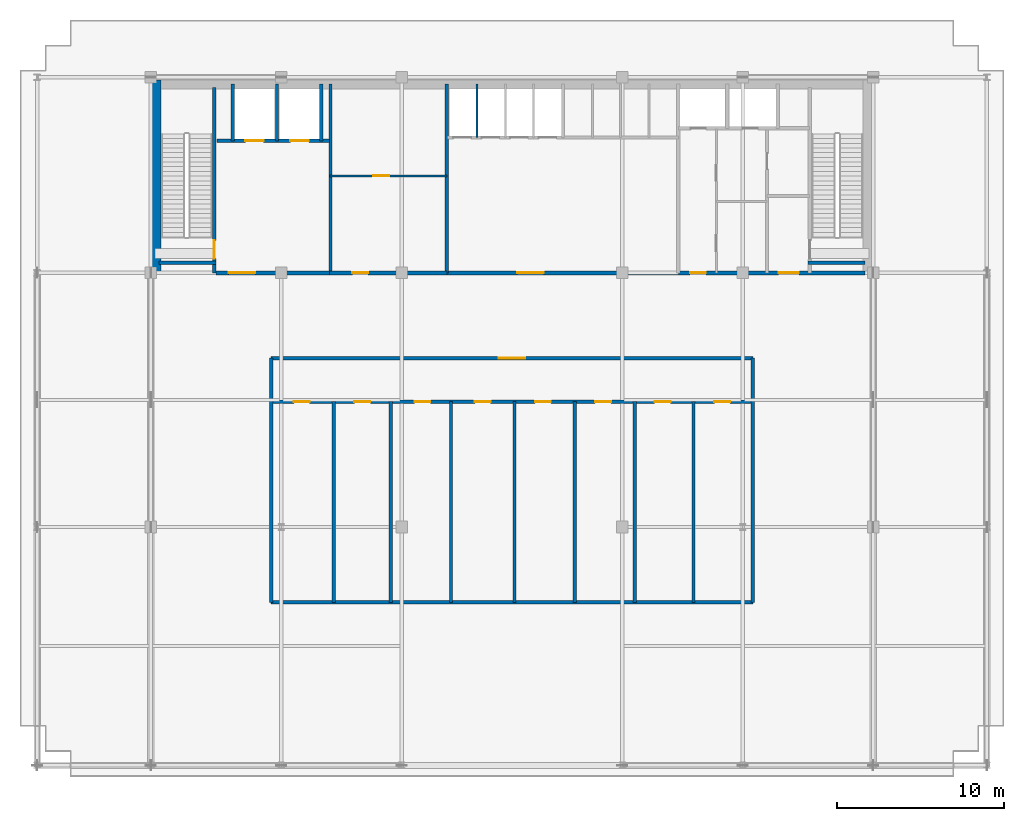
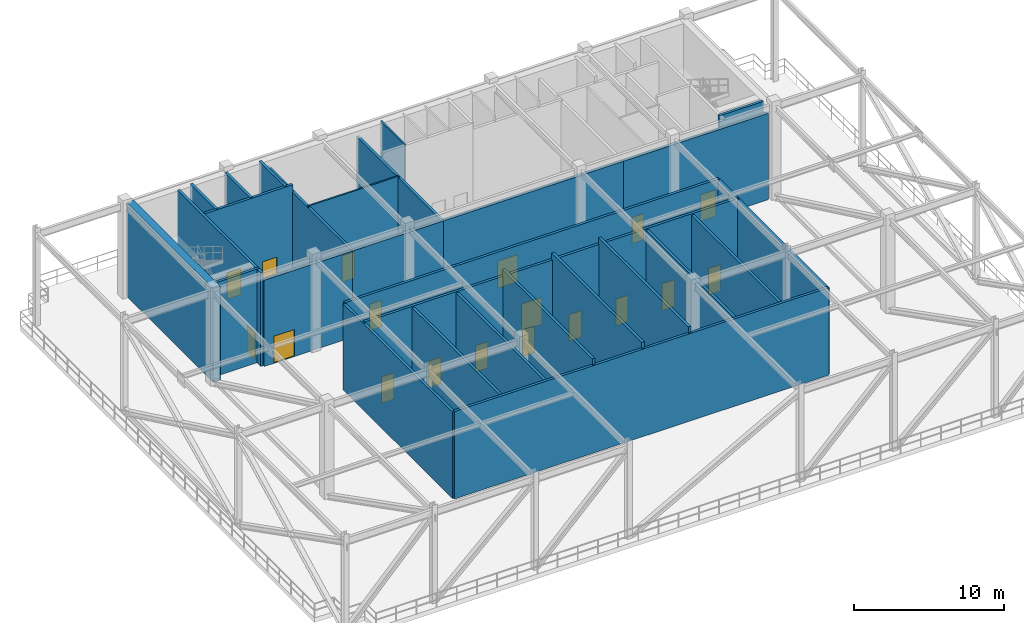
# One storey, part 9 of 14: 28 walls, 18 doors, 18 openings.
"""IFC4 building model written with IfcOpenShell, lengths in metres."""

from ifc_helpers import new_model, si_unit, direction, frame, frame_2d, origin, place, context, subcontext, project, spatial, rectangle, extrude, source, transform, mapped, material, layer, layer_set, type_object, element, fill, save


model = new_model("IFC4")

# Units and contexts
model_context = context("Model", 3, precision=1e-05, world=origin(), true_north=direction((0.0, 1.0)))
body_context = subcontext(model_context, "Body", "Model", "MODEL_VIEW")
ifc_project = project(units=[si_unit("LENGTHUNIT", "METRE"), si_unit("AREAUNIT", "SQUARE_METRE"), si_unit("VOLUMEUNIT", "CUBIC_METRE"), si_unit("PLANEANGLEUNIT", "RADIAN"), si_unit("MASSUNIT", "GRAM", prefix="KILO")], contexts=[model_context])

# Site, building, storey
site_placement = place(None, origin())
site = spatial("IfcSite", under=ifc_project, at=site_placement, CompositionType="ELEMENT")
building_placement = place(site_placement, origin())
building = spatial("IfcBuilding", under=site, at=building_placement, Name="Trelvane Seafront Commons", CompositionType="ELEMENT")
storey_placement = place(building_placement, frame((0.0, 0.0, 182.5)))
storey = spatial("IfcBuildingStorey", under=building, at=storey_placement, Name="L48", CompositionType="ELEMENT", Elevation=182.5)

# Wall, opening, door
ifc_material_1 = material(Name="Concrete C40/50", Category="concrete")
ifc_layer_1 = layer(ifc_material_1, 0.199951171875, Name="ARCH-WALL-FIRE200")
ifc_layer_set_1 = layer_set([ifc_layer_1], Name="Concrete C40/50")
wall_type_1 = type_object("IfcWallType", Name="ARCH-WALL-FIRE200", PredefinedType="PARTITIONING", material=ifc_layer_set_1)
wall_1_placement = place(storey_placement, frame((22.800048828125, 28.300048828125, 0.0), z_axis=(0.0, 0.0, 1.0), x_axis=(1.0, 0.0, 0.0)))
wall_1 = element("IfcWall", 1, at=wall_1_placement, inside=storey, type_object=wall_type_1, Name="W-L48-MEP-N-036", PredefinedType="PARTITIONING", context=body_context, shape_type="SweptSolid", body=[
    extrude(rectangle(XDim=28.800048828125, YDim=0.199951171875, at=frame_2d((14.39990234375, 0.0))), origin(), (0.0, 0.0, 1.0), 7.1201171875),
])
opening_1_placement = place(wall_1_placement, frame((13.60009765625, 0.0, 0.0)))
opening_1 = element("IfcOpeningElement", 2, at=opening_1_placement, cuts=wall_1, Name="Opening FD-L48-20", PredefinedType="OPENING", context=body_context, shape_type="SweptSolid", body=[
    extrude(rectangle(XDim=1.60009765625, YDim=2.199951171875, at=frame_2d((0.800048828125, 1.10009765625))), frame((0.0, 0.10986328125, 0.0), z_axis=(0.0, -1.0, 0.0), x_axis=(1.0, 0.0, 0.0)), (0.0, 0.0, 1.0), 0.219970703125),
])
ifc_material_2 = material(Name="Powder-coated aluminium frame", Category="aluminium")
door_type_1 = type_object("IfcDoorType", Name="ARCH-DR-FD60-1600", OperationType="DOUBLE_DOOR_SINGLE_SWING", PredefinedType="DOOR", material=ifc_material_2)
shared_shape_1 = source(origin(), body_context, "Body", "SweptSolid", [
    extrude(rectangle(XDim=1.60009765625, YDim=2.199951171875, at=frame_2d((0.800048828125, 1.10009765625))), frame((0.0, 0.02490234375, 0.0), z_axis=(0.0, -1.0, 0.0), x_axis=(1.0, 0.0, 0.0)), (0.0, 0.0, 1.0), 0.050048828125),
])
door_1_placement = place(opening_1_placement, origin())
door_1 = element("IfcDoor", 3, at=door_1_placement, inside=storey, type_object=door_type_1, Name="L48 Plant Corridor Entrance Door", OperationType="DOUBLE_DOOR_SINGLE_SWING", OverallHeight=2.199951171875, OverallWidth=1.60009765625, PredefinedType="DOOR", context=body_context, shape_type="MappedRepresentation", body=[
    mapped(shared_shape_1, transform((0.0, 0.0, 0.0), x_axis=(1.0, 0.0, 0.0), y_axis=(0.0, 1.0, 0.0), z_axis=(0.0, 0.0, 1.0), scale=1.0)),
])
fill(opening_1, door_1)

# Walls
wall_2_placement = place(storey_placement, frame((22.800048828125, 13.699951171875, 0.0), z_axis=(0.0, 0.0, 1.0), x_axis=(1.0, 0.0, 0.0)))
element("IfcWall", 4, at=wall_2_placement, inside=storey, type_object=wall_type_1, Name="W-L48-MEP-S-037", PredefinedType="PARTITIONING", context=body_context, shape_type="SweptSolid", body=[
    extrude(rectangle(XDim=28.800048828125, YDim=0.199951171875, at=frame_2d((14.39990234375, 0.0))), origin(), (0.0, 0.0, 1.0), 7.1201171875),
])
for number, where, z_axis, x_axis, name in (
    (5, (22.800048828125, 13.699951171875, 0.0), (0.0, 0.0, 1.0), (0.0, 1.0, 0.0), "W-L48-MEP-W-038"),
    (6, (51.60009765625, 13.699951171875, 0.0), (0.0, 0.0, 1.0), (0.0, 1.0, 0.0), "W-L48-MEP-E-039"),
):
    element("IfcWall", number, at=place(storey_placement, frame(where, z_axis=z_axis, x_axis=x_axis)), inside=storey, type_object=wall_type_1, Name=name, PredefinedType="PARTITIONING", context=body_context, shape_type="SweptSolid", body=[
        extrude(rectangle(XDim=14.60009765625, YDim=0.199951171875, at=frame_2d((7.300048828125, 0.0))), origin(), (0.0, 0.0, 1.0), 7.02001953125),
    ])

# Wall, openings, doors
wall_3_placement = place(storey_placement, frame((22.800048828125, 25.699951171875, 0.0), z_axis=(0.0, 0.0, 1.0), x_axis=(1.0, 0.0, 0.0)))
wall_3 = element("IfcWall", 7, at=wall_3_placement, inside=storey, type_object=wall_type_1, Name="W-L48-MEP-CORR-S-040", PredefinedType="PARTITIONING", context=body_context, shape_type="SweptSolid", body=[
    extrude(rectangle(XDim=28.800048828125, YDim=0.199951171875, at=frame_2d((14.39990234375, 0.0))), origin(), (0.0, 0.0, 1.0), 7.1201171875),
])
opening_2_placement = place(wall_3_placement, frame((1.35009765625, 0.0, 0.0)))
opening_2 = element("IfcOpeningElement", 8, at=opening_2_placement, cuts=wall_3, Name="Opening FD-L48-21", PredefinedType="OPENING", context=body_context, shape_type="SweptSolid", body=[
    extrude(rectangle(XDim=0.949951171875, YDim=2.14990234375, at=frame_2d((0.47509765625, 1.074951171875))), frame((0.0, 0.10986328125, 0.0), z_axis=(0.0, -1.0, 0.0), x_axis=(1.0, 0.0, 0.0)), (0.0, 0.0, 1.0), 0.219970703125),
])
opening_3_placement = place(wall_3_placement, frame((4.97509765625, 0.0, 0.0)))
opening_3 = element("IfcOpeningElement", 9, at=opening_3_placement, cuts=wall_3, Name="Opening FD-L48-22", PredefinedType="OPENING", context=body_context, shape_type="SweptSolid", body=[
    extrude(rectangle(XDim=0.949951171875, YDim=2.14990234375, at=frame_2d((0.47509765625, 1.074951171875))), frame((0.0, 0.10986328125, 0.0), z_axis=(0.0, -1.0, 0.0), x_axis=(1.0, 0.0, 0.0)), (0.0, 0.0, 1.0), 0.219970703125),
])
opening_4_placement = place(wall_3_placement, frame((8.572021484375, 0.0, 0.0)))
opening_4 = element("IfcOpeningElement", 10, at=opening_4_placement, cuts=wall_3, Name="Opening FD-L48-23", PredefinedType="OPENING", context=body_context, shape_type="SweptSolid", body=[
    extrude(rectangle(XDim=0.949951171875, YDim=2.14990234375, at=frame_2d((0.47509765625, 1.074951171875))), frame((0.0, 0.10986328125, 0.0), z_axis=(0.0, -1.0, 0.0), x_axis=(1.0, 0.0, 0.0)), (0.0, 0.0, 1.0), 0.219970703125),
])
opening_5_placement = place(wall_3_placement, frame((12.175048828125, 0.0, 0.0)))
opening_5 = element("IfcOpeningElement", 11, at=opening_5_placement, cuts=wall_3, Name="Opening FD-L48-24", PredefinedType="OPENING", context=body_context, shape_type="SweptSolid", body=[
    extrude(rectangle(XDim=0.949951171875, YDim=2.14990234375, at=frame_2d((0.47509765625, 1.074951171875))), frame((0.0, 0.10986328125, 0.0), z_axis=(0.0, -1.0, 0.0), x_axis=(1.0, 0.0, 0.0)), (0.0, 0.0, 1.0), 0.219970703125),
])
opening_6_placement = place(wall_3_placement, frame((15.778076171875, 0.0, 0.0)))
opening_6 = element("IfcOpeningElement", 12, at=opening_6_placement, cuts=wall_3, Name="Opening FD-L48-25", PredefinedType="OPENING", context=body_context, shape_type="SweptSolid", body=[
    extrude(rectangle(XDim=0.949951171875, YDim=2.14990234375, at=frame_2d((0.47509765625, 1.074951171875))), frame((0.0, 0.10986328125, 0.0), z_axis=(0.0, -1.0, 0.0), x_axis=(1.0, 0.0, 0.0)), (0.0, 0.0, 1.0), 0.219970703125),
])
opening_7_placement = place(wall_3_placement, frame((19.3779296875, 0.0, 0.0)))
opening_7 = element("IfcOpeningElement", 13, at=opening_7_placement, cuts=wall_3, Name="Opening FD-L48-26", PredefinedType="OPENING", context=body_context, shape_type="SweptSolid", body=[
    extrude(rectangle(XDim=0.949951171875, YDim=2.14990234375, at=frame_2d((0.47509765625, 1.074951171875))), frame((0.0, 0.10986328125, 0.0), z_axis=(0.0, -1.0, 0.0), x_axis=(1.0, 0.0, 0.0)), (0.0, 0.0, 1.0), 0.219970703125),
])
opening_8_placement = place(wall_3_placement, frame((22.93310546875, 0.0, 0.0)))
opening_8 = element("IfcOpeningElement", 14, at=opening_8_placement, cuts=wall_3, Name="Opening FD-L48-27", PredefinedType="OPENING", context=body_context, shape_type="SweptSolid", body=[
    extrude(rectangle(XDim=0.949951171875, YDim=2.14990234375, at=frame_2d((0.47509765625, 1.074951171875))), frame((0.0, 0.10986328125, 0.0), z_axis=(0.0, -1.0, 0.0), x_axis=(1.0, 0.0, 0.0)), (0.0, 0.0, 1.0), 0.219970703125),
])
opening_9_placement = place(wall_3_placement, frame((26.5, 0.0, 0.0)))
opening_9 = element("IfcOpeningElement", 15, at=opening_9_placement, cuts=wall_3, Name="Opening FD-L48-28", PredefinedType="OPENING", context=body_context, shape_type="SweptSolid", body=[
    extrude(rectangle(XDim=0.949951171875, YDim=2.14990234375, at=frame_2d((0.47509765625, 1.074951171875))), frame((0.0, 0.10986328125, 0.0), z_axis=(0.0, -1.0, 0.0), x_axis=(1.0, 0.0, 0.0)), (0.0, 0.0, 1.0), 0.219970703125),
])
door_type_2 = type_object("IfcDoorType", Name="ARCH-DR-FD60-950", OperationType="NOTDEFINED", PredefinedType="DOOR", material=ifc_material_2)
shared_shape_2 = source(origin(), body_context, "Body", "SweptSolid", [
    extrude(rectangle(XDim=0.949951171875, YDim=2.14990234375, at=frame_2d((0.47509765625, 1.074951171875))), frame((0.0, 0.02490234375, 0.0), z_axis=(0.0, -1.0, 0.0), x_axis=(1.0, 0.0, 0.0)), (0.0, 0.0, 1.0), 0.050048828125),
])
door_2_placement = place(opening_2_placement, origin())
door_2 = element("IfcDoor", 16, at=door_2_placement, inside=storey, type_object=door_type_2, Name="L48 Door 21", OperationType="SINGLE_SWING_LEFT", OverallHeight=2.14990234375, OverallWidth=0.949951171875, PredefinedType="DOOR", context=body_context, shape_type="MappedRepresentation", body=[
    mapped(shared_shape_2, transform((0.0, 0.0, 0.0), x_axis=(1.0, 0.0, 0.0), y_axis=(0.0, 1.0, 0.0), z_axis=(0.0, 0.0, 1.0), scale=1.0)),
])
fill(opening_2, door_2)
door_3_placement = place(opening_3_placement, origin())
door_3 = element("IfcDoor", 17, at=door_3_placement, inside=storey, type_object=door_type_2, Name="L48 Door 22", OperationType="SINGLE_SWING_RIGHT", OverallHeight=2.14990234375, OverallWidth=0.949951171875, PredefinedType="DOOR", context=body_context, shape_type="MappedRepresentation", body=[
    mapped(shared_shape_2, transform((0.0, 0.0, 0.0), x_axis=(1.0, 0.0, 0.0), y_axis=(0.0, 1.0, 0.0), z_axis=(0.0, 0.0, 1.0), scale=1.0)),
])
fill(opening_3, door_3)
door_4_placement = place(opening_4_placement, origin())
door_4 = element("IfcDoor", 18, at=door_4_placement, inside=storey, type_object=door_type_2, Name="L48 Door 23", OperationType="SINGLE_SWING_LEFT", OverallHeight=2.14990234375, OverallWidth=0.949951171875, PredefinedType="DOOR", context=body_context, shape_type="MappedRepresentation", body=[
    mapped(shared_shape_2, transform((0.0, 0.0, 0.0), x_axis=(1.0, 0.0, 0.0), y_axis=(0.0, 1.0, 0.0), z_axis=(0.0, 0.0, 1.0), scale=1.0)),
])
fill(opening_4, door_4)
door_5_placement = place(opening_5_placement, origin())
door_5 = element("IfcDoor", 19, at=door_5_placement, inside=storey, type_object=door_type_2, Name="L48 Door 24", OperationType="SINGLE_SWING_RIGHT", OverallHeight=2.14990234375, OverallWidth=0.949951171875, PredefinedType="DOOR", context=body_context, shape_type="MappedRepresentation", body=[
    mapped(shared_shape_2, transform((0.0, 0.0, 0.0), x_axis=(1.0, 0.0, 0.0), y_axis=(0.0, 1.0, 0.0), z_axis=(0.0, 0.0, 1.0), scale=1.0)),
])
fill(opening_5, door_5)
door_6_placement = place(opening_6_placement, origin())
door_6 = element("IfcDoor", 20, at=door_6_placement, inside=storey, type_object=door_type_2, Name="L48 Door 25", OperationType="SINGLE_SWING_LEFT", OverallHeight=2.14990234375, OverallWidth=0.949951171875, PredefinedType="DOOR", context=body_context, shape_type="MappedRepresentation", body=[
    mapped(shared_shape_2, transform((0.0, 0.0, 0.0), x_axis=(1.0, 0.0, 0.0), y_axis=(0.0, 1.0, 0.0), z_axis=(0.0, 0.0, 1.0), scale=1.0)),
])
fill(opening_6, door_6)
door_7_placement = place(opening_7_placement, origin())
door_7 = element("IfcDoor", 21, at=door_7_placement, inside=storey, type_object=door_type_2, Name="L48 Door 26", OperationType="SINGLE_SWING_RIGHT", OverallHeight=2.14990234375, OverallWidth=0.949951171875, PredefinedType="DOOR", context=body_context, shape_type="MappedRepresentation", body=[
    mapped(shared_shape_2, transform((0.0, 0.0, 0.0), x_axis=(1.0, 0.0, 0.0), y_axis=(0.0, 1.0, 0.0), z_axis=(0.0, 0.0, 1.0), scale=1.0)),
])
fill(opening_7, door_7)
door_8_placement = place(opening_8_placement, origin())
door_8 = element("IfcDoor", 22, at=door_8_placement, inside=storey, type_object=door_type_2, Name="L48 Door 27", OperationType="SINGLE_SWING_LEFT", OverallHeight=2.14990234375, OverallWidth=0.949951171875, PredefinedType="DOOR", context=body_context, shape_type="MappedRepresentation", body=[
    mapped(shared_shape_2, transform((0.0, 0.0, 0.0), x_axis=(1.0, 0.0, 0.0), y_axis=(0.0, 1.0, 0.0), z_axis=(0.0, 0.0, 1.0), scale=1.0)),
])
fill(opening_8, door_8)
door_9_placement = place(opening_9_placement, origin())
door_9 = element("IfcDoor", 23, at=door_9_placement, inside=storey, type_object=door_type_2, Name="L48 Door 28", OperationType="SINGLE_SWING_RIGHT", OverallHeight=2.14990234375, OverallWidth=0.949951171875, PredefinedType="DOOR", context=body_context, shape_type="MappedRepresentation", body=[
    mapped(shared_shape_2, transform((0.0, 0.0, 0.0), x_axis=(1.0, 0.0, 0.0), y_axis=(0.0, 1.0, 0.0), z_axis=(0.0, 0.0, 1.0), scale=1.0)),
])
fill(opening_9, door_9)

# Walls
for number, where, z_axis, x_axis, name in (
    (24, (26.550048828125, 13.699951171875, 0.0), (0.0, 0.0, 1.0), (0.0, 1.0, 0.0), "W-L48-MEP-DV-1-041"),
    (25, (29.949951171875, 13.699951171875, 0.0), (0.0, 0.0, 1.0), (0.0, 1.0, 0.0), "W-L48-MEP-DV-2-042"),
):
    element("IfcWall", number, at=place(storey_placement, frame(where, z_axis=z_axis, x_axis=x_axis)), inside=storey, type_object=wall_type_1, Name=name, PredefinedType="PARTITIONING", context=body_context, shape_type="SweptSolid", body=[
        extrude(rectangle(XDim=12.0, YDim=0.199951171875, at=frame_2d((6.0, 0.0))), origin(), (0.0, 0.0, 1.0), 7.02001953125),
    ])
for number, where, z_axis, x_axis, name in (
    (26, (33.550048828125, 13.699951171875, 0.0), (0.0, 0.0, 1.0), (0.0, 1.0, 0.0), "W-L48-MEP-DV-3-043"),
    (27, (37.35009765625, 13.699951171875, 0.0), (0.0, 0.0, 1.0), (0.0, 1.0, 0.0), "W-L48-MEP-DV-4-044"),
    (28, (40.949951171875, 13.699951171875, 0.0), (0.0, 0.0, 1.0), (0.0, 1.0, 0.0), "W-L48-MEP-DV-5-045"),
):
    element("IfcWall", number, at=place(storey_placement, frame(where, z_axis=z_axis, x_axis=x_axis)), inside=storey, type_object=wall_type_1, Name=name, PredefinedType="PARTITIONING", context=body_context, shape_type="SweptSolid", body=[
        extrude(rectangle(XDim=12.0, YDim=0.199951171875, at=frame_2d((6.0, 0.0))), origin(), (0.0, 0.0, 1.0), 7.6201171875),
    ])
for number, where, z_axis, x_axis, name in (
    (29, (44.550048828125, 13.699951171875, 0.0), (0.0, 0.0, 1.0), (0.0, 1.0, 0.0), "W-L48-MEP-DV-6-046"),
    (30, (48.050048828125, 13.699951171875, 0.0), (0.0, 0.0, 1.0), (0.0, 1.0, 0.0), "W-L48-MEP-DV-7-047"),
):
    element("IfcWall", number, at=place(storey_placement, frame(where, z_axis=z_axis, x_axis=x_axis)), inside=storey, type_object=wall_type_1, Name=name, PredefinedType="PARTITIONING", context=body_context, shape_type="SweptSolid", body=[
        extrude(rectangle(XDim=12.0, YDim=0.199951171875, at=frame_2d((6.0, 0.0))), origin(), (0.0, 0.0, 1.0), 7.02001953125),
    ])

# Wall, opening, door
ifc_layer_2 = layer(ifc_material_1, 0.25, Name="ARCH-WALL-FIRE250")
ifc_layer_set_2 = layer_set([ifc_layer_2], Name="Concrete C40/50")
wall_type_2 = type_object("IfcWallType", Name="ARCH-WALL-FIRE250", PredefinedType="PARTITIONING", material=ifc_layer_set_2)
wall_4_placement = place(storey_placement, frame((19.5, 33.39990234375, 0.0), z_axis=(0.0, 0.0, 1.0), x_axis=(1.0, 0.0, 0.0)))
wall_4 = element("IfcWall", 31, at=wall_4_placement, inside=storey, type_object=wall_type_2, Name="W-L48-CS-FFL-013", PredefinedType="PARTITIONING", context=body_context, shape_type="SweptSolid", body=[
    extrude(rectangle(XDim=6.800048828125, YDim=0.25, at=frame_2d((3.39990234375, 0.0))), origin(), (0.0, 0.0, 1.0), 7.02001953125),
])
opening_10_placement = place(wall_4_placement, frame((0.75, 0.0, 0.0)))
opening_10 = element("IfcOpeningElement", 32, at=opening_10_placement, cuts=wall_4, Name="Opening FD-L48-05", PredefinedType="OPENING", context=body_context, shape_type="SweptSolid", body=[
    extrude(rectangle(XDim=1.60009765625, YDim=2.199951171875, at=frame_2d((0.800048828125, 1.10009765625))), frame((0.0, 0.135009765625, 0.0), z_axis=(0.0, -1.0, 0.0), x_axis=(1.0, 0.0, 0.0)), (0.0, 0.0, 1.0), 0.27001953125),
])
door_10_placement = place(opening_10_placement, origin())
door_10 = element("IfcDoor", 33, at=door_10_placement, inside=storey, type_object=door_type_1, Name="L48 Firefighting Lift Lobby Double Fire Door", OperationType="DOUBLE_DOOR_SINGLE_SWING", OverallHeight=2.199951171875, OverallWidth=1.60009765625, PredefinedType="DOOR", context=body_context, shape_type="MappedRepresentation", body=[
    mapped(shared_shape_1, transform((0.0, 0.0, 0.0), x_axis=(1.0, 0.0, 0.0), y_axis=(0.0, 1.0, 0.0), z_axis=(0.0, 0.0, 1.0), scale=1.0)),
])
fill(opening_10, door_10)

wall_5_placement = place(storey_placement, frame((26.300048828125, 33.39990234375, 0.0), z_axis=(0.0, 0.0, 1.0), x_axis=(1.0, 0.0, 0.0)))
wall_5 = element("IfcWall", 34, at=wall_5_placement, inside=storey, type_object=wall_type_2, Name="W-L48-CS-FPL-026", PredefinedType="PARTITIONING", context=body_context, shape_type="SweptSolid", body=[
    extrude(rectangle(XDim=7.0, YDim=0.25, at=frame_2d((3.5, 0.0))), origin(), (0.0, 0.0, 1.0), 7.02001953125),
])
opening_11_placement = place(wall_5_placement, frame((1.35009765625, 0.0, 0.0)))
opening_11 = element("IfcOpeningElement", 35, at=opening_11_placement, cuts=wall_5, Name="Opening D-L48-11", PredefinedType="OPENING", context=body_context, shape_type="SweptSolid", body=[
    extrude(rectangle(XDim=0.949951171875, YDim=2.14990234375, at=frame_2d((0.47509765625, 1.074951171875))), frame((0.0, 0.135009765625, 0.0), z_axis=(0.0, -1.0, 0.0), x_axis=(1.0, 0.0, 0.0)), (0.0, 0.0, 1.0), 0.27001953125),
])
ifc_material_3 = material(Name="Acoustic timber door leaf", Category="wood")
door_type_3 = type_object("IfcDoorType", Name="ARCH-DR-INT950", OperationType="NOTDEFINED", PredefinedType="DOOR", material=ifc_material_3)
door_11_placement = place(opening_11_placement, origin())
door_11 = element("IfcDoor", 36, at=door_11_placement, inside=storey, type_object=door_type_3, Name="L48 Floor Pantry Entrance Door", OperationType="SINGLE_SWING_LEFT", OverallHeight=2.14990234375, OverallWidth=0.949951171875, PredefinedType="DOOR", context=body_context, shape_type="MappedRepresentation", body=[
    mapped(shared_shape_2, transform((0.0, 0.0, 0.0), x_axis=(1.0, 0.0, 0.0), y_axis=(0.0, 1.0, 0.0), z_axis=(0.0, 0.0, 1.0), scale=1.0)),
])
fill(opening_11, door_11)

wall_6_placement = place(storey_placement, frame((33.300048828125, 33.39990234375, 0.0), z_axis=(0.0, 0.0, 1.0), x_axis=(1.0, 0.0, 0.0)))
wall_6 = element("IfcWall", 37, at=wall_6_placement, inside=storey, type_object=wall_type_2, Name="W-L48-CS-PAX-027", PredefinedType="PARTITIONING", context=body_context, shape_type="SweptSolid", body=[
    extrude(rectangle(XDim=13.849853515625, YDim=0.25, at=frame_2d((6.9248046875, 0.0))), origin(), (0.0, 0.0, 1.0), 7.02001953125),
])
opening_12_placement = place(wall_6_placement, frame((4.199951171875, 0.0, 0.0)))
opening_12 = element("IfcOpeningElement", 38, at=opening_12_placement, cuts=wall_6, Name="Opening FD-L48-12", PredefinedType="OPENING", context=body_context, shape_type="SweptSolid", body=[
    extrude(rectangle(XDim=1.60009765625, YDim=2.199951171875, at=frame_2d((0.800048828125, 1.10009765625))), frame((0.0, 0.135009765625, 0.0), z_axis=(0.0, -1.0, 0.0), x_axis=(1.0, 0.0, 0.0)), (0.0, 0.0, 1.0), 0.27001953125),
])
door_12_placement = place(opening_12_placement, origin())
door_12 = element("IfcDoor", 39, at=door_12_placement, inside=storey, type_object=door_type_1, Name="L48 Passenger Lift Lobby Double Door", OperationType="DOUBLE_DOOR_SINGLE_SWING", OverallHeight=2.199951171875, OverallWidth=1.60009765625, PredefinedType="DOOR", context=body_context, shape_type="MappedRepresentation", body=[
    mapped(shared_shape_1, transform((0.0, 0.0, 0.0), x_axis=(1.0, 0.0, 0.0), y_axis=(0.0, 1.0, 0.0), z_axis=(0.0, 0.0, 1.0), scale=1.0)),
])
fill(opening_12, door_12)

# Wall, openings, doors
wall_7_placement = place(storey_placement, frame((47.14990234375, 33.39990234375, 0.0), z_axis=(0.0, 0.0, 1.0), x_axis=(1.0, 0.0, 0.0)))
wall_7 = element("IfcWall", 40, at=wall_7_placement, inside=storey, type_object=wall_type_2, Name="W-L48-CS-EAST-035", PredefinedType="PARTITIONING", context=body_context, shape_type="SweptSolid", body=[
    extrude(rectangle(XDim=11.150146484375, YDim=0.25, at=frame_2d((5.5751953125, 0.0))), origin(), (0.0, 0.0, 1.0), 7.02001953125),
])
opening_13_placement = place(wall_7_placement, frame((0.699951171875, 0.0, 0.0)))
opening_13 = element("IfcOpeningElement", 41, at=opening_13_placement, cuts=wall_7, Name="Opening FD-L48-18", PredefinedType="OPENING", context=body_context, shape_type="SweptSolid", body=[
    extrude(rectangle(XDim=0.949951171875, YDim=2.14990234375, at=frame_2d((0.47509765625, 1.074951171875))), frame((0.0, 0.135009765625, 0.0), z_axis=(0.0, -1.0, 0.0), x_axis=(1.0, 0.0, 0.0)), (0.0, 0.0, 1.0), 0.27001953125),
])
opening_14_placement = place(wall_7_placement, frame((6.0, 0.0, 0.0)))
opening_14 = element("IfcOpeningElement", 42, at=opening_14_placement, cuts=wall_7, Name="Opening FD-L48-19", PredefinedType="OPENING", context=body_context, shape_type="SweptSolid", body=[
    extrude(rectangle(XDim=1.199951171875, YDim=2.14990234375, at=frame_2d((0.60009765625, 1.074951171875))), frame((0.0, 0.135009765625, 0.0), z_axis=(0.0, -1.0, 0.0), x_axis=(1.0, 0.0, 0.0)), (0.0, 0.0, 1.0), 0.27001953125),
])
door_13_placement = place(opening_13_placement, origin())
door_13 = element("IfcDoor", 43, at=door_13_placement, inside=storey, type_object=door_type_2, Name="L48 Core Service Lobby Door", OperationType="SINGLE_SWING_RIGHT", OverallHeight=2.14990234375, OverallWidth=0.949951171875, PredefinedType="DOOR", context=body_context, shape_type="MappedRepresentation", body=[
    mapped(shared_shape_2, transform((0.0, 0.0, 0.0), x_axis=(1.0, 0.0, 0.0), y_axis=(0.0, 1.0, 0.0), z_axis=(0.0, 0.0, 1.0), scale=1.0)),
])
fill(opening_13, door_13)
door_type_4 = type_object("IfcDoorType", Name="ARCH-DR-FD60-1200", OperationType="NOTDEFINED", PredefinedType="DOOR", material=ifc_material_2)
shared_shape_3 = source(origin(), body_context, "Body", "SweptSolid", [
    extrude(rectangle(XDim=1.199951171875, YDim=2.14990234375, at=frame_2d((0.60009765625, 1.074951171875))), frame((0.0, 0.02490234375, 0.0), z_axis=(0.0, -1.0, 0.0), x_axis=(1.0, 0.0, 0.0)), (0.0, 0.0, 1.0), 0.050048828125),
])
door_14_placement = place(opening_14_placement, origin())
door_14 = element("IfcDoor", 44, at=door_14_placement, inside=storey, type_object=door_type_4, Name="L48 East Stair Vestibule Fire Door", OperationType="SINGLE_SWING_LEFT", OverallHeight=2.14990234375, OverallWidth=1.199951171875, PredefinedType="DOOR", context=body_context, shape_type="MappedRepresentation", body=[
    mapped(shared_shape_3, transform((0.0, 0.0, 0.0), x_axis=(1.0, 0.0, 0.0), y_axis=(0.0, 1.0, 0.0), z_axis=(0.0, 0.0, 1.0), scale=1.0)),
])
fill(opening_14, door_14)

# Wall, opening, door
ifc_material_4 = material(Name="Gypsum Drywall Acoustic Partition")
ifc_layer_3 = layer(ifc_material_4, 0.1201171875, Name="ARCH-WALL-PART120")
ifc_layer_set_3 = layer_set([ifc_layer_3], Name="Gypsum Drywall Acoustic Partition")
wall_type_3 = type_object("IfcWallType", Name="ARCH-WALL-PART120", PredefinedType="PARTITIONING", material=ifc_layer_set_3)
wall_8_placement = place(storey_placement, frame((26.300048828125, 39.199951171875, 0.0), z_axis=(0.0, 0.0, 1.0), x_axis=(1.0, 0.0, 0.0)))
wall_8 = element("IfcWall", 45, at=wall_8_placement, inside=storey, type_object=wall_type_3, Name="W-L48-FREED-PL-MID-014", PredefinedType="PARTITIONING", context=body_context, shape_type="SweptSolid", body=[
    extrude(rectangle(XDim=7.0, YDim=0.1201171875, at=frame_2d((3.5, 0.0))), origin(), (0.0, 0.0, 1.0), 7.1201171875),
])
opening_15_placement = place(wall_8_placement, frame((2.60009765625, 0.0, 0.0)))
opening_15 = element("IfcOpeningElement", 46, at=opening_15_placement, cuts=wall_8, Name="Opening D-L48-06", PredefinedType="OPENING", context=body_context, shape_type="SweptSolid", body=[
    extrude(rectangle(XDim=0.949951171875, YDim=2.14990234375, at=frame_2d((0.47509765625, 1.074951171875))), frame((0.0, 0.070068359375, 0.0), z_axis=(0.0, -1.0, 0.0), x_axis=(1.0, 0.0, 0.0)), (0.0, 0.0, 1.0), 0.14013671875),
])
door_15_placement = place(opening_15_placement, origin())
door_15 = element("IfcDoor", 47, at=door_15_placement, inside=storey, type_object=door_type_3, Name="L48 Housekeeping Store Door", OperationType="SINGLE_SWING_RIGHT", OverallHeight=2.14990234375, OverallWidth=0.949951171875, PredefinedType="DOOR", context=body_context, shape_type="MappedRepresentation", body=[
    mapped(shared_shape_2, transform((0.0, 0.0, 0.0), x_axis=(1.0, 0.0, 0.0), y_axis=(0.0, 1.0, 0.0), z_axis=(0.0, 0.0, 1.0), scale=1.0)),
])
fill(opening_15, door_15)

# Wall
wall_9_placement = place(storey_placement, frame((35.10009765625, 41.5, 0.0), z_axis=(0.0, 0.0, 1.0), x_axis=(0.0, 1.0, 0.0)))
element("IfcWall", 48, at=wall_9_placement, inside=storey, type_object=wall_type_3, Name="W-L48-PM-DIV1-017", PredefinedType="PARTITIONING", context=body_context, shape_type="SweptSolid", body=[
    extrude(rectangle(XDim=3.199951171875, YDim=0.1201171875, at=frame_2d((1.60009765625, 0.0))), origin(), (0.0, 0.0, 1.0), 7.6201171875),
])

# Wall, openings, doors
ifc_layer_4 = layer(ifc_material_1, 0.199951171875, Name="ARCH-WALL-SHAFT200")
ifc_layer_set_4 = layer_set([ifc_layer_4], Name="Concrete C40/50")
wall_type_4 = type_object("IfcWallType", Name="ARCH-WALL-SHAFT200", PredefinedType="SOLIDWALL", material=ifc_layer_set_4)
wall_10_placement = place(storey_placement, frame((19.550048828125, 41.300048828125, 0.0), z_axis=(0.0, 0.0, 1.0), x_axis=(1.0, 0.0, 0.0)))
wall_10 = element("IfcWall", 49, at=wall_10_placement, inside=storey, type_object=wall_type_4, Name="W-L48-FFL-FRONT-008", PredefinedType="SOLIDWALL", context=body_context, shape_type="SweptSolid", body=[
    extrude(rectangle(XDim=6.75, YDim=0.199951171875, at=frame_2d((3.375, 0.0))), origin(), (0.0, 0.0, 1.0), 7.6201171875),
])
opening_16_placement = place(wall_10_placement, frame((1.699951171875, 0.0, 0.0)))
opening_16 = element("IfcOpeningElement", 50, at=opening_16_placement, cuts=wall_10, Name="Opening LD-FF1-L48", PredefinedType="OPENING", context=body_context, shape_type="SweptSolid", body=[
    extrude(rectangle(XDim=1.10009765625, YDim=2.14990234375, at=frame_2d((0.550048828125, 1.074951171875))), frame((0.0, 0.10986328125, 0.0), z_axis=(0.0, -1.0, 0.0), x_axis=(1.0, 0.0, 0.0)), (0.0, 0.0, 1.0), 0.219970703125),
])
opening_17_placement = place(wall_10_placement, frame((4.39990234375, 0.0, 0.0)))
opening_17 = element("IfcOpeningElement", 51, at=opening_17_placement, cuts=wall_10, Name="Opening LD-FF2-L48", PredefinedType="OPENING", context=body_context, shape_type="SweptSolid", body=[
    extrude(rectangle(XDim=1.10009765625, YDim=2.14990234375, at=frame_2d((0.550048828125, 1.074951171875))), frame((0.0, 0.10986328125, 0.0), z_axis=(0.0, -1.0, 0.0), x_axis=(1.0, 0.0, 0.0)), (0.0, 0.0, 1.0), 0.219970703125),
])
ifc_material_5 = material(Name="Stainless steel balustrade", Category="steel")
door_type_5 = type_object("IfcDoorType", Name="ARCH-DR-LD1100", OperationType="DOUBLE_DOOR_SLIDING", PredefinedType="DOOR", material=ifc_material_5)
shared_shape_4 = source(origin(), body_context, "Body", "SweptSolid", [
    extrude(rectangle(XDim=1.10009765625, YDim=2.14990234375, at=frame_2d((0.550048828125, 1.074951171875))), frame((0.0, 0.02490234375, 0.0), z_axis=(0.0, -1.0, 0.0), x_axis=(1.0, 0.0, 0.0)), (0.0, 0.0, 1.0), 0.050048828125),
])
door_16_placement = place(opening_16_placement, origin())
door_16 = element("IfcDoor", 52, at=door_16_placement, inside=storey, type_object=door_type_5, Name="L48 Firefighting Lift FFL-1 Landing Door", OperationType="DOUBLE_DOOR_SLIDING", OverallHeight=2.14990234375, OverallWidth=1.10009765625, PredefinedType="DOOR", context=body_context, shape_type="MappedRepresentation", body=[
    mapped(shared_shape_4, transform((0.0, 0.0, 0.0), x_axis=(1.0, 0.0, 0.0), y_axis=(0.0, 1.0, 0.0), z_axis=(0.0, 0.0, 1.0), scale=1.0)),
])
fill(opening_16, door_16)
door_17_placement = place(opening_17_placement, origin())
door_17 = element("IfcDoor", 53, at=door_17_placement, inside=storey, type_object=door_type_5, Name="L48 Firefighting Lift FFL-2 Landing Door", OperationType="DOUBLE_DOOR_SLIDING", OverallHeight=2.14990234375, OverallWidth=1.10009765625, PredefinedType="DOOR", context=body_context, shape_type="MappedRepresentation", body=[
    mapped(shared_shape_4, transform((0.0, 0.0, 0.0), x_axis=(1.0, 0.0, 0.0), y_axis=(0.0, 1.0, 0.0), z_axis=(0.0, 0.0, 1.0), scale=1.0)),
])
fill(opening_17, door_17)

# Walls
for number, where, z_axis, x_axis, name in (
    (54, (20.5, 41.300048828125, 0.0), (0.0, 0.0, 1.0), (0.0, 1.0, 0.0), "W-L48-FFL-SH-W-009"),
    (55, (23.14990234375, 41.300048828125, 0.0), (0.0, 0.0, 1.0), (0.0, 1.0, 0.0), "W-L48-FFL-DIV-010"),
    (56, (25.800048828125, 41.300048828125, 0.0), (0.0, 0.0, 1.0), (0.0, 1.0, 0.0), "W-L48-FFL-SH-E-011"),
):
    element("IfcWall", number, at=place(storey_placement, frame(where, z_axis=z_axis, x_axis=x_axis)), inside=storey, type_object=wall_type_4, Name=name, PredefinedType="SOLIDWALL", context=body_context, shape_type="SweptSolid", body=[
        extrude(rectangle(XDim=3.39990234375, YDim=0.199951171875, at=frame_2d((1.699951171875, 0.0))), origin(), (0.0, 0.0, 1.0), 7.6201171875),
    ])
for number, where, z_axis, x_axis, name in (
    (57, (26.35009765625, 33.39990234375, 0.0), (0.0, 0.0, 1.0), (0.0, 1.0, 0.0), "W-L48-FFL-EAST-012"),
    (58, (33.300048828125, 33.39990234375, 0.0), (0.0, 0.0, 1.0), (0.0, 1.0, 0.0), "W-L48-FREED-PL-E-015"),
):
    element("IfcWall", number, at=place(storey_placement, frame(where, z_axis=z_axis, x_axis=x_axis)), inside=storey, type_object=wall_type_4, Name=name, PredefinedType="SOLIDWALL", context=body_context, shape_type="SweptSolid", body=[
        extrude(rectangle(XDim=11.300048828125, YDim=0.199951171875, at=frame_2d((5.64990234375, 0.0))), origin(), (0.0, 0.0, 1.0), 7.02001953125),
    ])
ifc_material_6 = material(Name="Concrete C50/60", Category="concrete")
ifc_layer_5 = layer(ifc_material_6, 0.550048828125, Name="STR-WALL-CORE550")
ifc_layer_set_5 = layer_set([ifc_layer_5], Name="Concrete C50/60")
wall_type_5 = type_object("IfcWallType", Name="STR-WALL-CORE550", PredefinedType="SHEAR", material=ifc_layer_set_5)
wall_11_placement = place(storey_placement, frame((15.925048828125, 33.39990234375, 0.0), z_axis=(0.0, 0.0, 1.0), x_axis=(0.0, 1.0, 0.0)))
element("IfcWall", 59, at=wall_11_placement, inside=storey, type_object=wall_type_5, Name="W-L48-CW-END-002", PredefinedType="SHEAR", context=body_context, shape_type="SweptSolid", body=[
    extrude(rectangle(XDim=11.550048828125, YDim=0.550048828125, at=frame_2d((5.77490234375, 0.0))), origin(), (0.0, 0.0, 1.0), 7.6201171875),
])
ifc_layer_6 = layer(ifc_material_6, 0.199951171875, Name="STR-WALL-STAIR200")
ifc_layer_set_6 = layer_set([ifc_layer_6], Name="Concrete C50/60")
wall_type_6 = type_object("IfcWallType", Name="STR-WALL-STAIR200", PredefinedType="SHEAR", material=ifc_layer_set_6)
wall_12_placement = place(storey_placement, frame((16.10009765625, 34.0, 0.0), z_axis=(0.0, 0.0, 1.0), x_axis=(1.0, 0.0, 0.0)))
element("IfcWall", 60, at=wall_12_placement, inside=storey, type_object=wall_type_6, Name="W-L48-ST1-S-004", PredefinedType="SHEAR", context=body_context, shape_type="SweptSolid", body=[
    extrude(rectangle(XDim=3.39990234375, YDim=0.199951171875, at=frame_2d((1.699951171875, 0.0))), origin(), (0.0, 0.0, 1.0), 7.6201171875),
])

# Wall, opening, door
wall_13_placement = place(storey_placement, frame((19.39990234375, 33.39990234375, 0.0), z_axis=(0.0, 0.0, 1.0), x_axis=(0.0, 1.0, 0.0)))
wall_13 = element("IfcWall", 61, at=wall_13_placement, inside=storey, type_object=wall_type_6, Name="W-L48-ST1-E-005", PredefinedType="SHEAR", context=body_context, shape_type="SweptSolid", body=[
    extrude(rectangle(XDim=11.10009765625, YDim=0.199951171875, at=frame_2d((5.550048828125, 0.0))), origin(), (0.0, 0.0, 1.0), 7.6201171875),
])
opening_18_placement = place(wall_13_placement, frame((0.85009765625, 0.0, 0.0)))
opening_18 = element("IfcOpeningElement", 62, at=opening_18_placement, cuts=wall_13, Name="Opening ST-D1-L48", PredefinedType="OPENING", context=body_context, shape_type="SweptSolid", body=[
    extrude(rectangle(XDim=1.10009765625, YDim=2.14990234375, at=frame_2d((0.550048828125, 1.074951171875))), frame((0.0, 0.10986328125, 0.0), z_axis=(0.0, -1.0, 0.0), x_axis=(1.0, 0.0, 0.0)), (0.0, 0.0, 1.0), 0.219970703125),
])
door_type_6 = type_object("IfcDoorType", Name="ARCH-DR-FD90-1100", OperationType="NOTDEFINED", PredefinedType="DOOR", material=ifc_material_2)
door_18_placement = place(opening_18_placement, origin())
door_18 = element("IfcDoor", 63, at=door_18_placement, inside=storey, type_object=door_type_6, Name="L48 Stair ST-1 Lobby Fire Door", OperationType="SINGLE_SWING_LEFT", OverallHeight=2.14990234375, OverallWidth=1.10009765625, PredefinedType="DOOR", context=body_context, shape_type="MappedRepresentation", body=[
    mapped(shared_shape_4, transform((0.0, 0.0, 0.0), x_axis=(1.0, 0.0, 0.0), y_axis=(0.0, 1.0, 0.0), z_axis=(0.0, 0.0, 1.0), scale=1.0)),
])
fill(opening_18, door_18)

# Wall
wall_14_placement = place(storey_placement, frame((54.89990234375, 34.0, 0.0), z_axis=(0.0, 0.0, 1.0), x_axis=(1.0, 0.0, 0.0)))
element("IfcWall", 64, at=wall_14_placement, inside=storey, type_object=wall_type_6, Name="W-L48-ST2-S-006", PredefinedType="SHEAR", context=body_context, shape_type="SweptSolid", body=[
    extrude(rectangle(XDim=3.400146484375, YDim=0.199951171875, at=frame_2d((1.7001953125, 0.0))), origin(), (0.0, 0.0, 1.0), 7.6201171875),
])

save(model, "model.ifc")
